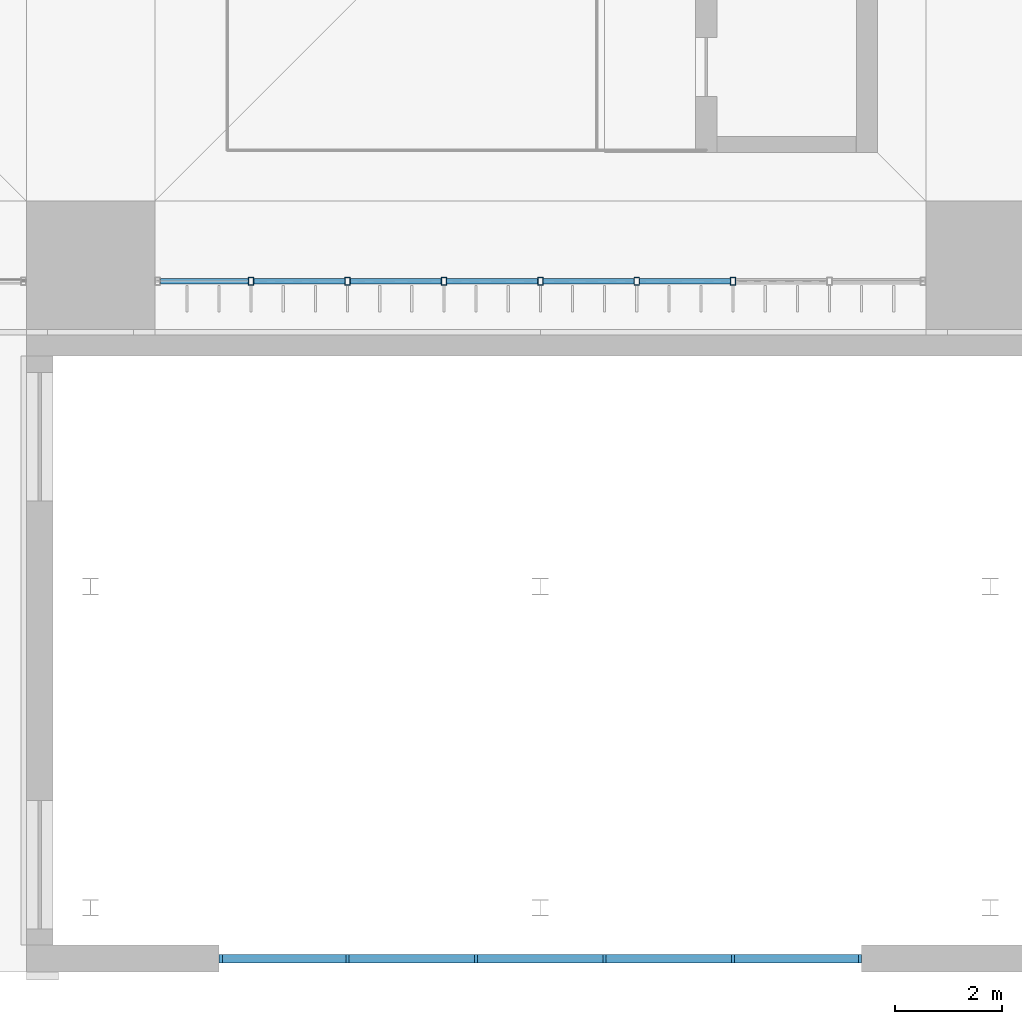
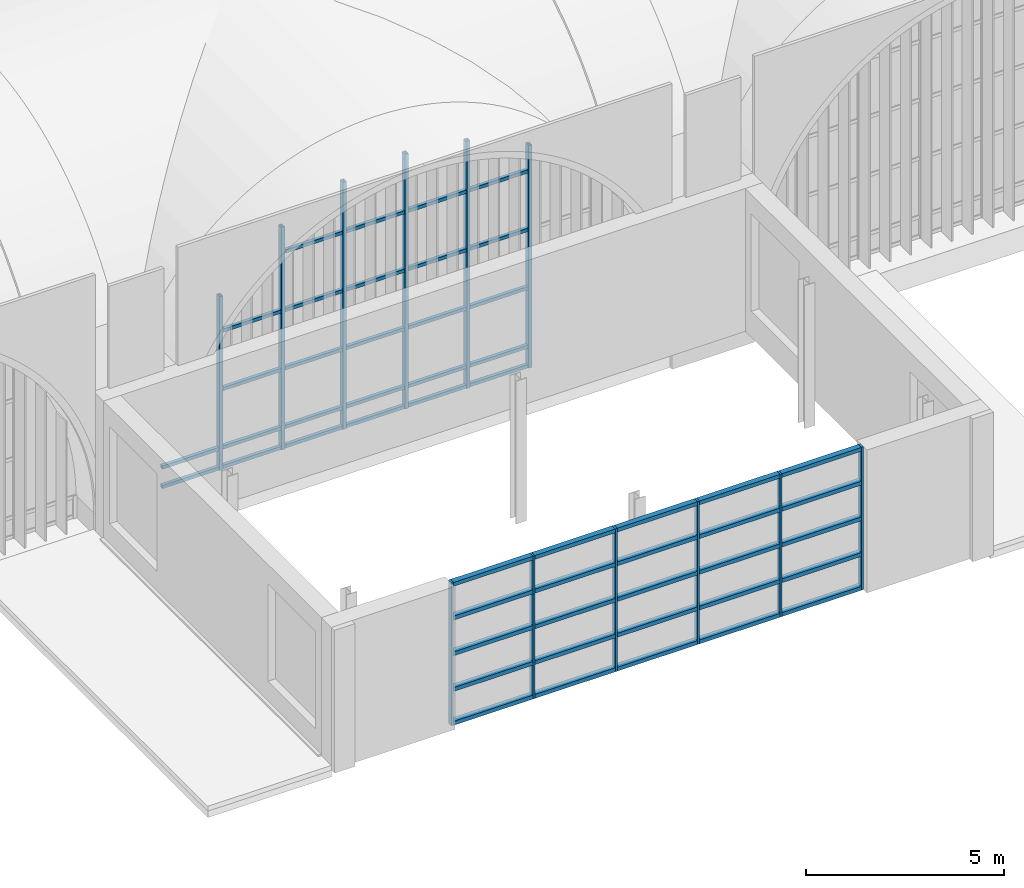
# One storey, part 31 of 169: 63 members, 2 elements without a shape of their own.
"""IFC4 building model written with IfcOpenShell, lengths in metres."""

from ifc_helpers import new_model, si_unit, direction, frame, origin, origin_2d, place, context, subcontext, project, spatial, rectangle, hollow_rectangle, extrude, material, layer, layer_set, material_profile, profile_set, type_object, element, aggregate, save


model = new_model("IFC4")

# Units and contexts
model_context = context("Model", 3, precision=1e-05, world=origin(), true_north=direction((0.0, 1.0)))
body_context = subcontext(model_context, "Body", "Model", "MODEL_VIEW")
ifc_project = project(units=[si_unit("LENGTHUNIT", "METRE"), si_unit("AREAUNIT", "SQUARE_METRE"), si_unit("VOLUMEUNIT", "CUBIC_METRE"), si_unit("PLANEANGLEUNIT", "RADIAN"), si_unit("MASSUNIT", "GRAM", prefix="KILO")], contexts=[model_context])

# Site, building, storey
site_placement = place(None, origin())
site = spatial("IfcSite", under=ifc_project, at=site_placement, CompositionType="ELEMENT")
building_placement = place(site_placement, origin())
building = spatial("IfcBuilding", under=site, at=building_placement, Name="Verrick Yard Athletic Hall", CompositionType="ELEMENT")
storey_placement = place(building_placement, frame((0.0, 0.0, 4.39990234375)))
storey = spatial("IfcBuildingStorey", under=building, at=storey_placement, Name="L01", CompositionType="ELEMENT", Elevation=4.39990234375)

# Curtain wall, members
ifc_material_1 = material(Name="Aluminium and glass curtain wall", Category="aluminium")
ifc_layer_1 = layer(ifc_material_1, 0.14990234375)
ifc_layer_set_1 = layer_set([ifc_layer_1], Name="Arcade glazing arch")
curtain_wall_type_1 = type_object("IfcCurtainWallType", Name="Arcade glazing arch", PredefinedType="NOTDEFINED", material=ifc_layer_set_1)
curtain_wall_1_placement = place(storey_placement, origin())
curtain_wall_1 = element("IfcCurtainWall", 1, at=curtain_wall_1_placement, inside=storey, type_object=curtain_wall_type_1, Name="Arcade glazing S4", PredefinedType="NOTDEFINED")
ifc_material_2 = material(Name="Structural steel HSS Class C 350W (CSA G40.20/G40.21)", Category="steel")
ifc_material_profile_1 = material_profile(ifc_material_2, hollow_rectangle(XDim=0.1015625, YDim=0.15234375, WallThickness=0.008056640625, at=origin_2d()), Name="HSS152x102x7.9")
ifc_profile_set_1 = profile_set([ifc_material_profile_1], Name="Structural steel HSS Class C 350W (CSA G40.20/G40.21)")
member_type_1 = type_object("IfcMemberType", Name="Curtain wall mullion HSS152x102x7.9", PredefinedType="MULLION", material=ifc_profile_set_1)
member_1_placement = place(storey_placement, frame((93.39990234375, 18.89990234375, 0.0), z_axis=(0.0, 0.0, 1.0), x_axis=(1.0, 0.0, 0.0)))
member_1 = element("IfcMember", 2, at=member_1_placement, type_object=member_type_1, Name="Arcade glazing S4 mullion 2", PredefinedType="MULLION", context=body_context, shape_type="SweptSolid", body=[
    extrude(hollow_rectangle(XDim=0.1015625, YDim=0.15234375, WallThickness=0.008056640625, at=origin_2d()), origin(), (0.0, 0.0, 1.0), 5.351806640625),
])
member_2_placement = place(storey_placement, frame((95.199951171875, 18.89990234375, 0.0), z_axis=(0.0, 0.0, 1.0), x_axis=(1.0, 0.0, 0.0)))
member_2 = element("IfcMember", 3, at=member_2_placement, type_object=member_type_1, Name="Arcade glazing S4 mullion 3", PredefinedType="MULLION", context=body_context, shape_type="SweptSolid", body=[
    extrude(hollow_rectangle(XDim=0.1015625, YDim=0.15234375, WallThickness=0.008056640625, at=origin_2d()), origin(), (0.0, 0.0, 1.0), 6.8544921875),
])
member_3_placement = place(storey_placement, frame((97.0, 18.89990234375, 0.0), z_axis=(0.0, 0.0, 1.0), x_axis=(1.0, 0.0, 0.0)))
member_3 = element("IfcMember", 4, at=member_3_placement, type_object=member_type_1, Name="Arcade glazing S4 mullion 4", PredefinedType="MULLION", context=body_context, shape_type="SweptSolid", body=[
    extrude(hollow_rectangle(XDim=0.1015625, YDim=0.15234375, WallThickness=0.008056640625, at=origin_2d()), origin(), (0.0, 0.0, 1.0), 7.607666015625),
])
member_4_placement = place(storey_placement, frame((98.800048828125, 18.89990234375, 0.0), z_axis=(0.0, 0.0, 1.0), x_axis=(1.0, 0.0, 0.0)))
member_4 = element("IfcMember", 5, at=member_4_placement, type_object=member_type_1, Name="Arcade glazing S4 mullion 5", PredefinedType="MULLION", context=body_context, shape_type="SweptSolid", body=[
    extrude(hollow_rectangle(XDim=0.1015625, YDim=0.15234375, WallThickness=0.008056640625, at=origin_2d()), origin(), (0.0, 0.0, 1.0), 7.8486328125),
])
member_5_placement = place(storey_placement, frame((100.60009765625, 18.89990234375, 0.0), z_axis=(0.0, 0.0, 1.0), x_axis=(1.0, 0.0, 0.0)))
member_5 = element("IfcMember", 6, at=member_5_placement, type_object=member_type_1, Name="Arcade glazing S4 mullion 6", PredefinedType="MULLION", context=body_context, shape_type="SweptSolid", body=[
    extrude(hollow_rectangle(XDim=0.1015625, YDim=0.15234375, WallThickness=0.008056640625, at=origin_2d()), origin(), (0.0, 0.0, 1.0), 7.607666015625),
])
member_6_placement = place(storey_placement, frame((102.39990234375, 18.89990234375, 0.0), z_axis=(0.0, 0.0, 1.0), x_axis=(1.0, 0.0, 0.0)))
member_6 = element("IfcMember", 7, at=member_6_placement, type_object=member_type_1, Name="Arcade glazing S4 mullion 7", PredefinedType="MULLION", context=body_context, shape_type="SweptSolid", body=[
    extrude(hollow_rectangle(XDim=0.1015625, YDim=0.15234375, WallThickness=0.008056640625, at=origin_2d()), origin(), (0.0, 0.0, 1.0), 6.8544921875),
])
ifc_material_profile_2 = material_profile(ifc_material_2, hollow_rectangle(XDim=0.1015625, YDim=0.1015625, WallThickness=0.00634765625, at=origin_2d()), Name="HSS102x102x6.4")
ifc_profile_set_2 = profile_set([ifc_material_profile_2], Name="Structural steel HSS Class C 350W (CSA G40.20/G40.21)")
member_type_2 = type_object("IfcMemberType", Name="Curtain wall transom HSS102x102x6.4", PredefinedType="USERDEFINED", material=ifc_profile_set_2)
member_7_placement = place(storey_placement, frame((91.7021484375, 18.89990234375, 0.05078125), z_axis=(1.0, 0.0, 0.0), x_axis=(0.0, 1.0, 0.0)))
member_7 = element("IfcMember", 8, at=member_7_placement, type_object=member_type_2, Name="Arcade glazing S4 transom 1", ObjectType="TRANSOM", PredefinedType="USERDEFINED", context=body_context, shape_type="SweptSolid", body=[
    extrude(hollow_rectangle(XDim=0.1015625, YDim=0.1015625, WallThickness=0.00634765625, at=origin_2d()), origin(), (0.0, 0.0, 1.0), 1.64697265625),
])
member_8_placement = place(storey_placement, frame((91.7021484375, 18.89990234375, 0.650146484375), z_axis=(1.0, 0.0, 0.0), x_axis=(0.0, 1.0, 0.0)))
member_8 = element("IfcMember", 9, at=member_8_placement, type_object=member_type_2, Name="Arcade glazing S4 transom 2", ObjectType="TRANSOM", PredefinedType="USERDEFINED", context=body_context, shape_type="SweptSolid", body=[
    extrude(hollow_rectangle(XDim=0.1015625, YDim=0.1015625, WallThickness=0.00634765625, at=origin_2d()), origin(), (0.0, 0.0, 1.0), 1.64697265625),
])
member_9_placement = place(storey_placement, frame((93.45068359375, 18.89990234375, 0.05078125), z_axis=(1.0, 0.0, 0.0), x_axis=(0.0, 1.0, 0.0)))
member_9 = element("IfcMember", 10, at=member_9_placement, type_object=member_type_2, Name="Arcade glazing S4 transom 3", ObjectType="TRANSOM", PredefinedType="USERDEFINED", context=body_context, shape_type="SweptSolid", body=[
    extrude(hollow_rectangle(XDim=0.1015625, YDim=0.1015625, WallThickness=0.00634765625, at=origin_2d()), origin(), (0.0, 0.0, 1.0), 1.698486328125),
])
member_10_placement = place(storey_placement, frame((93.45068359375, 18.89990234375, 0.650146484375), z_axis=(1.0, 0.0, 0.0), x_axis=(0.0, 1.0, 0.0)))
member_10 = element("IfcMember", 11, at=member_10_placement, type_object=member_type_2, Name="Arcade glazing S4 transom 4", ObjectType="TRANSOM", PredefinedType="USERDEFINED", context=body_context, shape_type="SweptSolid", body=[
    extrude(hollow_rectangle(XDim=0.1015625, YDim=0.1015625, WallThickness=0.00634765625, at=origin_2d()), origin(), (0.0, 0.0, 1.0), 1.698486328125),
])
member_11_placement = place(storey_placement, frame((93.45068359375, 18.89990234375, 2.4501953125), z_axis=(1.0, 0.0, 0.0), x_axis=(0.0, 1.0, 0.0)))
member_11 = element("IfcMember", 12, at=member_11_placement, type_object=member_type_2, Name="Arcade glazing S4 transom 5", ObjectType="TRANSOM", PredefinedType="USERDEFINED", context=body_context, shape_type="SweptSolid", body=[
    extrude(hollow_rectangle(XDim=0.1015625, YDim=0.1015625, WallThickness=0.00634765625, at=origin_2d()), origin(), (0.0, 0.0, 1.0), 1.698486328125),
])
member_12_placement = place(storey_placement, frame((93.45068359375, 18.89990234375, 4.25), z_axis=(1.0, 0.0, 0.0), x_axis=(0.0, 1.0, 0.0)))
member_12 = element("IfcMember", 13, at=member_12_placement, type_object=member_type_2, Name="Arcade glazing S4 transom 6", ObjectType="TRANSOM", PredefinedType="USERDEFINED", context=body_context, shape_type="SweptSolid", body=[
    extrude(hollow_rectangle(XDim=0.1015625, YDim=0.1015625, WallThickness=0.00634765625, at=origin_2d()), origin(), (0.0, 0.0, 1.0), 1.698486328125),
])
member_13_placement = place(storey_placement, frame((95.250732421875, 18.89990234375, 0.05078125), z_axis=(1.0, 0.0, 0.0), x_axis=(0.0, 1.0, 0.0)))
member_13 = element("IfcMember", 14, at=member_13_placement, type_object=member_type_2, Name="Arcade glazing S4 transom 7", ObjectType="TRANSOM", PredefinedType="USERDEFINED", context=body_context, shape_type="SweptSolid", body=[
    extrude(hollow_rectangle(XDim=0.1015625, YDim=0.1015625, WallThickness=0.00634765625, at=origin_2d()), origin(), (0.0, 0.0, 1.0), 1.698486328125),
])
member_14_placement = place(storey_placement, frame((95.250732421875, 18.89990234375, 0.650146484375), z_axis=(1.0, 0.0, 0.0), x_axis=(0.0, 1.0, 0.0)))
member_14 = element("IfcMember", 15, at=member_14_placement, type_object=member_type_2, Name="Arcade glazing S4 transom 8", ObjectType="TRANSOM", PredefinedType="USERDEFINED", context=body_context, shape_type="SweptSolid", body=[
    extrude(hollow_rectangle(XDim=0.1015625, YDim=0.1015625, WallThickness=0.00634765625, at=origin_2d()), origin(), (0.0, 0.0, 1.0), 1.698486328125),
])
member_15_placement = place(storey_placement, frame((95.250732421875, 18.89990234375, 2.4501953125), z_axis=(1.0, 0.0, 0.0), x_axis=(0.0, 1.0, 0.0)))
member_15 = element("IfcMember", 16, at=member_15_placement, type_object=member_type_2, Name="Arcade glazing S4 transom 9", ObjectType="TRANSOM", PredefinedType="USERDEFINED", context=body_context, shape_type="SweptSolid", body=[
    extrude(hollow_rectangle(XDim=0.1015625, YDim=0.1015625, WallThickness=0.00634765625, at=origin_2d()), origin(), (0.0, 0.0, 1.0), 1.698486328125),
])
member_16_placement = place(storey_placement, frame((95.250732421875, 18.89990234375, 4.25), z_axis=(1.0, 0.0, 0.0), x_axis=(0.0, 1.0, 0.0)))
member_16 = element("IfcMember", 17, at=member_16_placement, type_object=member_type_2, Name="Arcade glazing S4 transom 10", ObjectType="TRANSOM", PredefinedType="USERDEFINED", context=body_context, shape_type="SweptSolid", body=[
    extrude(hollow_rectangle(XDim=0.1015625, YDim=0.1015625, WallThickness=0.00634765625, at=origin_2d()), origin(), (0.0, 0.0, 1.0), 1.698486328125),
])
member_17_placement = place(storey_placement, frame((95.250732421875, 18.89990234375, 6.050048828125), z_axis=(1.0, 0.0, 0.0), x_axis=(0.0, 1.0, 0.0)))
member_17 = element("IfcMember", 18, at=member_17_placement, type_object=member_type_2, Name="Arcade glazing S4 transom 11", ObjectType="TRANSOM", PredefinedType="USERDEFINED", context=body_context, shape_type="SweptSolid", body=[
    extrude(hollow_rectangle(XDim=0.1015625, YDim=0.1015625, WallThickness=0.00634765625, at=origin_2d()), origin(), (0.0, 0.0, 1.0), 1.698486328125),
])
member_18_placement = place(storey_placement, frame((97.05078125, 18.89990234375, 0.05078125), z_axis=(1.0, 0.0, 0.0), x_axis=(0.0, 1.0, 0.0)))
member_18 = element("IfcMember", 19, at=member_18_placement, type_object=member_type_2, Name="Arcade glazing S4 transom 12", ObjectType="TRANSOM", PredefinedType="USERDEFINED", context=body_context, shape_type="SweptSolid", body=[
    extrude(hollow_rectangle(XDim=0.1015625, YDim=0.1015625, WallThickness=0.00634765625, at=origin_2d()), origin(), (0.0, 0.0, 1.0), 1.698486328125),
])
member_19_placement = place(storey_placement, frame((97.05078125, 18.89990234375, 0.650146484375), z_axis=(1.0, 0.0, 0.0), x_axis=(0.0, 1.0, 0.0)))
member_19 = element("IfcMember", 20, at=member_19_placement, type_object=member_type_2, Name="Arcade glazing S4 transom 13", ObjectType="TRANSOM", PredefinedType="USERDEFINED", context=body_context, shape_type="SweptSolid", body=[
    extrude(hollow_rectangle(XDim=0.1015625, YDim=0.1015625, WallThickness=0.00634765625, at=origin_2d()), origin(), (0.0, 0.0, 1.0), 1.698486328125),
])
member_20_placement = place(storey_placement, frame((97.05078125, 18.89990234375, 2.4501953125), z_axis=(1.0, 0.0, 0.0), x_axis=(0.0, 1.0, 0.0)))
member_20 = element("IfcMember", 21, at=member_20_placement, type_object=member_type_2, Name="Arcade glazing S4 transom 14", ObjectType="TRANSOM", PredefinedType="USERDEFINED", context=body_context, shape_type="SweptSolid", body=[
    extrude(hollow_rectangle(XDim=0.1015625, YDim=0.1015625, WallThickness=0.00634765625, at=origin_2d()), origin(), (0.0, 0.0, 1.0), 1.698486328125),
])
member_21_placement = place(storey_placement, frame((97.05078125, 18.89990234375, 4.25), z_axis=(1.0, 0.0, 0.0), x_axis=(0.0, 1.0, 0.0)))
member_21 = element("IfcMember", 22, at=member_21_placement, type_object=member_type_2, Name="Arcade glazing S4 transom 15", ObjectType="TRANSOM", PredefinedType="USERDEFINED", context=body_context, shape_type="SweptSolid", body=[
    extrude(hollow_rectangle(XDim=0.1015625, YDim=0.1015625, WallThickness=0.00634765625, at=origin_2d()), origin(), (0.0, 0.0, 1.0), 1.698486328125),
])
member_22_placement = place(storey_placement, frame((97.05078125, 18.89990234375, 6.050048828125), z_axis=(1.0, 0.0, 0.0), x_axis=(0.0, 1.0, 0.0)))
member_22 = element("IfcMember", 23, at=member_22_placement, type_object=member_type_2, Name="Arcade glazing S4 transom 16", ObjectType="TRANSOM", PredefinedType="USERDEFINED", context=body_context, shape_type="SweptSolid", body=[
    extrude(hollow_rectangle(XDim=0.1015625, YDim=0.1015625, WallThickness=0.00634765625, at=origin_2d()), origin(), (0.0, 0.0, 1.0), 1.698486328125),
])
member_23_placement = place(storey_placement, frame((98.850830078125, 18.89990234375, 0.05078125), z_axis=(1.0, 0.0, 0.0), x_axis=(0.0, 1.0, 0.0)))
member_23 = element("IfcMember", 24, at=member_23_placement, type_object=member_type_2, Name="Arcade glazing S4 transom 17", ObjectType="TRANSOM", PredefinedType="USERDEFINED", context=body_context, shape_type="SweptSolid", body=[
    extrude(hollow_rectangle(XDim=0.1015625, YDim=0.1015625, WallThickness=0.00634765625, at=origin_2d()), origin(), (0.0, 0.0, 1.0), 1.698486328125),
])
member_24_placement = place(storey_placement, frame((98.850830078125, 18.89990234375, 0.650146484375), z_axis=(1.0, 0.0, 0.0), x_axis=(0.0, 1.0, 0.0)))
member_24 = element("IfcMember", 25, at=member_24_placement, type_object=member_type_2, Name="Arcade glazing S4 transom 18", ObjectType="TRANSOM", PredefinedType="USERDEFINED", context=body_context, shape_type="SweptSolid", body=[
    extrude(hollow_rectangle(XDim=0.1015625, YDim=0.1015625, WallThickness=0.00634765625, at=origin_2d()), origin(), (0.0, 0.0, 1.0), 1.698486328125),
])
member_25_placement = place(storey_placement, frame((98.850830078125, 18.89990234375, 2.4501953125), z_axis=(1.0, 0.0, 0.0), x_axis=(0.0, 1.0, 0.0)))
member_25 = element("IfcMember", 26, at=member_25_placement, type_object=member_type_2, Name="Arcade glazing S4 transom 19", ObjectType="TRANSOM", PredefinedType="USERDEFINED", context=body_context, shape_type="SweptSolid", body=[
    extrude(hollow_rectangle(XDim=0.1015625, YDim=0.1015625, WallThickness=0.00634765625, at=origin_2d()), origin(), (0.0, 0.0, 1.0), 1.698486328125),
])
member_26_placement = place(storey_placement, frame((98.850830078125, 18.89990234375, 4.25), z_axis=(1.0, 0.0, 0.0), x_axis=(0.0, 1.0, 0.0)))
member_26 = element("IfcMember", 27, at=member_26_placement, type_object=member_type_2, Name="Arcade glazing S4 transom 20", ObjectType="TRANSOM", PredefinedType="USERDEFINED", context=body_context, shape_type="SweptSolid", body=[
    extrude(hollow_rectangle(XDim=0.1015625, YDim=0.1015625, WallThickness=0.00634765625, at=origin_2d()), origin(), (0.0, 0.0, 1.0), 1.698486328125),
])
member_27_placement = place(storey_placement, frame((98.850830078125, 18.89990234375, 6.050048828125), z_axis=(1.0, 0.0, 0.0), x_axis=(0.0, 1.0, 0.0)))
member_27 = element("IfcMember", 28, at=member_27_placement, type_object=member_type_2, Name="Arcade glazing S4 transom 21", ObjectType="TRANSOM", PredefinedType="USERDEFINED", context=body_context, shape_type="SweptSolid", body=[
    extrude(hollow_rectangle(XDim=0.1015625, YDim=0.1015625, WallThickness=0.00634765625, at=origin_2d()), origin(), (0.0, 0.0, 1.0), 1.698486328125),
])
member_28_placement = place(storey_placement, frame((100.65087890625, 18.89990234375, 0.05078125), z_axis=(1.0, 0.0, 0.0), x_axis=(0.0, 1.0, 0.0)))
member_28 = element("IfcMember", 29, at=member_28_placement, type_object=member_type_2, Name="Arcade glazing S4 transom 22", ObjectType="TRANSOM", PredefinedType="USERDEFINED", context=body_context, shape_type="SweptSolid", body=[
    extrude(hollow_rectangle(XDim=0.1015625, YDim=0.1015625, WallThickness=0.00634765625, at=origin_2d()), origin(), (0.0, 0.0, 1.0), 1.6982421875),
])
member_29_placement = place(storey_placement, frame((100.65087890625, 18.89990234375, 0.650146484375), z_axis=(1.0, 0.0, 0.0), x_axis=(0.0, 1.0, 0.0)))
member_29 = element("IfcMember", 30, at=member_29_placement, type_object=member_type_2, Name="Arcade glazing S4 transom 23", ObjectType="TRANSOM", PredefinedType="USERDEFINED", context=body_context, shape_type="SweptSolid", body=[
    extrude(hollow_rectangle(XDim=0.1015625, YDim=0.1015625, WallThickness=0.00634765625, at=origin_2d()), origin(), (0.0, 0.0, 1.0), 1.6982421875),
])
member_30_placement = place(storey_placement, frame((100.65087890625, 18.89990234375, 2.4501953125), z_axis=(1.0, 0.0, 0.0), x_axis=(0.0, 1.0, 0.0)))
member_30 = element("IfcMember", 31, at=member_30_placement, type_object=member_type_2, Name="Arcade glazing S4 transom 24", ObjectType="TRANSOM", PredefinedType="USERDEFINED", context=body_context, shape_type="SweptSolid", body=[
    extrude(hollow_rectangle(XDim=0.1015625, YDim=0.1015625, WallThickness=0.00634765625, at=origin_2d()), origin(), (0.0, 0.0, 1.0), 1.6982421875),
])
member_31_placement = place(storey_placement, frame((100.65087890625, 18.89990234375, 4.25), z_axis=(1.0, 0.0, 0.0), x_axis=(0.0, 1.0, 0.0)))
member_31 = element("IfcMember", 32, at=member_31_placement, type_object=member_type_2, Name="Arcade glazing S4 transom 25", ObjectType="TRANSOM", PredefinedType="USERDEFINED", context=body_context, shape_type="SweptSolid", body=[
    extrude(hollow_rectangle(XDim=0.1015625, YDim=0.1015625, WallThickness=0.00634765625, at=origin_2d()), origin(), (0.0, 0.0, 1.0), 1.6982421875),
])
member_32_placement = place(storey_placement, frame((100.65087890625, 18.89990234375, 6.050048828125), z_axis=(1.0, 0.0, 0.0), x_axis=(0.0, 1.0, 0.0)))
member_32 = element("IfcMember", 33, at=member_32_placement, type_object=member_type_2, Name="Arcade glazing S4 transom 26", ObjectType="TRANSOM", PredefinedType="USERDEFINED", context=body_context, shape_type="SweptSolid", body=[
    extrude(hollow_rectangle(XDim=0.1015625, YDim=0.1015625, WallThickness=0.00634765625, at=origin_2d()), origin(), (0.0, 0.0, 1.0), 1.6982421875),
])
aggregate(curtain_wall_1, [member_1, member_2, member_3, member_4, member_5, member_6, member_7, member_8, member_9, member_10, member_11, member_12, member_13, member_14, member_15, member_16, member_17, member_18, member_19, member_20, member_21, member_22, member_23, member_24, member_25, member_26, member_27, member_28, member_29, member_30, member_31, member_32])

ifc_material_3 = material(Name="Anodised aluminium", Category="aluminium")
ifc_layer_2 = layer(ifc_material_3, 0.199951171875)
ifc_layer_set_2 = layer_set([ifc_layer_2], Name="Front glazing")
curtain_wall_type_2 = type_object("IfcCurtainWallType", Name="Front glazing", PredefinedType="NOTDEFINED", material=ifc_layer_set_2)
curtain_wall_2_placement = place(storey_placement, origin())
curtain_wall_2 = element("IfcCurtainWall", 34, at=curtain_wall_2_placement, inside=storey, type_object=curtain_wall_type_2, Name="ENVB-FY-S-CW", PredefinedType="NOTDEFINED")
ifc_material_profile_3 = material_profile(ifc_material_3, rectangle(XDim=0.159912109375, YDim=0.06005859375, at=origin_2d()), Name="CW mullion 60x160")
ifc_profile_set_3 = profile_set([ifc_material_profile_3], Name="Anodised aluminium")
member_type_3 = type_object("IfcMemberType", Name="Front glazing mullion 60x160", PredefinedType="MULLION", material=ifc_profile_set_3)
member_33_placement = place(storey_placement, frame((92.830078125, 6.25, 0.0), z_axis=(0.0, 0.0, 1.0), x_axis=(0.0, 1.0, 0.0)))
member_33 = element("IfcMember", 35, at=member_33_placement, type_object=member_type_3, Name="ENVB-FY-S-CW/M00", PredefinedType="MULLION", context=body_context, shape_type="SweptSolid", body=[
    extrude(rectangle(XDim=0.159912109375, YDim=0.06005859375, at=origin_2d()), origin(), (0.0, 0.0, 1.0), 4.400146484375),
])
member_34_placement = place(storey_placement, frame((95.199951171875, 6.25, 0.0), z_axis=(0.0, 0.0, 1.0), x_axis=(0.0, 1.0, 0.0)))
member_34 = element("IfcMember", 36, at=member_34_placement, type_object=member_type_3, Name="ENVB-FY-S-CW/M01", PredefinedType="MULLION", context=body_context, shape_type="SweptSolid", body=[
    extrude(rectangle(XDim=0.159912109375, YDim=0.06005859375, at=origin_2d()), origin(), (0.0, 0.0, 1.0), 4.400146484375),
])
member_35_placement = place(storey_placement, frame((97.60009765625, 6.25, 0.0), z_axis=(0.0, 0.0, 1.0), x_axis=(0.0, 1.0, 0.0)))
member_35 = element("IfcMember", 37, at=member_35_placement, type_object=member_type_3, Name="ENVB-FY-S-CW/M02", PredefinedType="MULLION", context=body_context, shape_type="SweptSolid", body=[
    extrude(rectangle(XDim=0.159912109375, YDim=0.06005859375, at=origin_2d()), origin(), (0.0, 0.0, 1.0), 4.400146484375),
])
member_36_placement = place(storey_placement, frame((100.0, 6.25, 0.0), z_axis=(0.0, 0.0, 1.0), x_axis=(0.0, 1.0, 0.0)))
member_36 = element("IfcMember", 38, at=member_36_placement, type_object=member_type_3, Name="ENVB-FY-S-CW/M03", PredefinedType="MULLION", context=body_context, shape_type="SweptSolid", body=[
    extrude(rectangle(XDim=0.159912109375, YDim=0.06005859375, at=origin_2d()), origin(), (0.0, 0.0, 1.0), 4.400146484375),
])
member_37_placement = place(storey_placement, frame((102.39990234375, 6.25, 0.0), z_axis=(0.0, 0.0, 1.0), x_axis=(0.0, 1.0, 0.0)))
member_37 = element("IfcMember", 39, at=member_37_placement, type_object=member_type_3, Name="ENVB-FY-S-CW/M04", PredefinedType="MULLION", context=body_context, shape_type="SweptSolid", body=[
    extrude(rectangle(XDim=0.159912109375, YDim=0.06005859375, at=origin_2d()), origin(), (0.0, 0.0, 1.0), 4.400146484375),
])
member_38_placement = place(storey_placement, frame((104.77001953125, 6.25, 0.0), z_axis=(0.0, 0.0, 1.0), x_axis=(0.0, 1.0, 0.0)))
member_38 = element("IfcMember", 40, at=member_38_placement, type_object=member_type_3, Name="ENVB-FY-S-CW/M05", PredefinedType="MULLION", context=body_context, shape_type="SweptSolid", body=[
    extrude(rectangle(XDim=0.159912109375, YDim=0.06005859375, at=origin_2d()), origin(), (0.0, 0.0, 1.0), 4.400146484375),
])
ifc_material_profile_4 = material_profile(ifc_material_3, rectangle(XDim=0.159912109375, YDim=0.1201171875, at=origin_2d()), Name="CW transom 160x120")
ifc_profile_set_4 = profile_set([ifc_material_profile_4], Name="Anodised aluminium")
member_type_4 = type_object("IfcMemberType", Name="Front glazing transom 160x120", PredefinedType="USERDEFINED", material=ifc_profile_set_4)
member_39_placement = place(storey_placement, frame((92.860107421875, 6.25, 0.06005859375), z_axis=(1.0, 0.0, 0.0), x_axis=(0.0, 1.0, 0.0)))
member_39 = element("IfcMember", 41, at=member_39_placement, type_object=member_type_4, Name="ENVB-FY-S-CW/T00-00", ObjectType="TRANSOM", PredefinedType="USERDEFINED", context=body_context, shape_type="SweptSolid", body=[
    extrude(rectangle(XDim=0.159912109375, YDim=0.1201171875, at=origin_2d()), origin(), (0.0, 0.0, 1.0), 2.309814453125),
])
member_40_placement = place(storey_placement, frame((92.860107421875, 6.25, 1.10009765625), z_axis=(1.0, 0.0, 0.0), x_axis=(0.0, 1.0, 0.0)))
member_40 = element("IfcMember", 42, at=member_40_placement, type_object=member_type_4, Name="ENVB-FY-S-CW/T00-01", ObjectType="TRANSOM", PredefinedType="USERDEFINED", context=body_context, shape_type="SweptSolid", body=[
    extrude(rectangle(XDim=0.159912109375, YDim=0.1201171875, at=origin_2d()), origin(), (0.0, 0.0, 1.0), 2.309814453125),
])
member_41_placement = place(storey_placement, frame((92.860107421875, 6.25, 2.2001953125), z_axis=(1.0, 0.0, 0.0), x_axis=(0.0, 1.0, 0.0)))
member_41 = element("IfcMember", 43, at=member_41_placement, type_object=member_type_4, Name="ENVB-FY-S-CW/T00-02", ObjectType="TRANSOM", PredefinedType="USERDEFINED", context=body_context, shape_type="SweptSolid", body=[
    extrude(rectangle(XDim=0.159912109375, YDim=0.1201171875, at=origin_2d()), origin(), (0.0, 0.0, 1.0), 2.309814453125),
])
member_42_placement = place(storey_placement, frame((92.860107421875, 6.25, 3.300048828125), z_axis=(1.0, 0.0, 0.0), x_axis=(0.0, 1.0, 0.0)))
member_42 = element("IfcMember", 44, at=member_42_placement, type_object=member_type_4, Name="ENVB-FY-S-CW/T00-03", ObjectType="TRANSOM", PredefinedType="USERDEFINED", context=body_context, shape_type="SweptSolid", body=[
    extrude(rectangle(XDim=0.159912109375, YDim=0.1201171875, at=origin_2d()), origin(), (0.0, 0.0, 1.0), 2.309814453125),
])
member_43_placement = place(storey_placement, frame((92.860107421875, 6.25, 4.340087890625), z_axis=(1.0, 0.0, 0.0), x_axis=(0.0, 1.0, 0.0)))
member_43 = element("IfcMember", 45, at=member_43_placement, type_object=member_type_4, Name="ENVB-FY-S-CW/T00-04", ObjectType="TRANSOM", PredefinedType="USERDEFINED", context=body_context, shape_type="SweptSolid", body=[
    extrude(rectangle(XDim=0.159912109375, YDim=0.1201171875, at=origin_2d()), origin(), (0.0, 0.0, 1.0), 2.309814453125),
])
member_44_placement = place(storey_placement, frame((95.22998046875, 6.25, 0.06005859375), z_axis=(1.0, 0.0, 0.0), x_axis=(0.0, 1.0, 0.0)))
member_44 = element("IfcMember", 46, at=member_44_placement, type_object=member_type_4, Name="ENVB-FY-S-CW/T01-00", ObjectType="TRANSOM", PredefinedType="USERDEFINED", context=body_context, shape_type="SweptSolid", body=[
    extrude(rectangle(XDim=0.159912109375, YDim=0.1201171875, at=origin_2d()), origin(), (0.0, 0.0, 1.0), 2.340087890625),
])
member_45_placement = place(storey_placement, frame((95.22998046875, 6.25, 1.10009765625), z_axis=(1.0, 0.0, 0.0), x_axis=(0.0, 1.0, 0.0)))
member_45 = element("IfcMember", 47, at=member_45_placement, type_object=member_type_4, Name="ENVB-FY-S-CW/T01-01", ObjectType="TRANSOM", PredefinedType="USERDEFINED", context=body_context, shape_type="SweptSolid", body=[
    extrude(rectangle(XDim=0.159912109375, YDim=0.1201171875, at=origin_2d()), origin(), (0.0, 0.0, 1.0), 2.340087890625),
])
member_46_placement = place(storey_placement, frame((95.22998046875, 6.25, 2.2001953125), z_axis=(1.0, 0.0, 0.0), x_axis=(0.0, 1.0, 0.0)))
member_46 = element("IfcMember", 48, at=member_46_placement, type_object=member_type_4, Name="ENVB-FY-S-CW/T01-02", ObjectType="TRANSOM", PredefinedType="USERDEFINED", context=body_context, shape_type="SweptSolid", body=[
    extrude(rectangle(XDim=0.159912109375, YDim=0.1201171875, at=origin_2d()), origin(), (0.0, 0.0, 1.0), 2.340087890625),
])
member_47_placement = place(storey_placement, frame((95.22998046875, 6.25, 3.300048828125), z_axis=(1.0, 0.0, 0.0), x_axis=(0.0, 1.0, 0.0)))
member_47 = element("IfcMember", 49, at=member_47_placement, type_object=member_type_4, Name="ENVB-FY-S-CW/T01-03", ObjectType="TRANSOM", PredefinedType="USERDEFINED", context=body_context, shape_type="SweptSolid", body=[
    extrude(rectangle(XDim=0.159912109375, YDim=0.1201171875, at=origin_2d()), origin(), (0.0, 0.0, 1.0), 2.340087890625),
])
member_48_placement = place(storey_placement, frame((95.22998046875, 6.25, 4.340087890625), z_axis=(1.0, 0.0, 0.0), x_axis=(0.0, 1.0, 0.0)))
member_48 = element("IfcMember", 50, at=member_48_placement, type_object=member_type_4, Name="ENVB-FY-S-CW/T01-04", ObjectType="TRANSOM", PredefinedType="USERDEFINED", context=body_context, shape_type="SweptSolid", body=[
    extrude(rectangle(XDim=0.159912109375, YDim=0.1201171875, at=origin_2d()), origin(), (0.0, 0.0, 1.0), 2.340087890625),
])
member_49_placement = place(storey_placement, frame((97.6298828125, 6.25, 0.06005859375), z_axis=(1.0, 0.0, 0.0), x_axis=(0.0, 1.0, 0.0)))
member_49 = element("IfcMember", 51, at=member_49_placement, type_object=member_type_4, Name="ENVB-FY-S-CW/T02-00", ObjectType="TRANSOM", PredefinedType="USERDEFINED", context=body_context, shape_type="SweptSolid", body=[
    extrude(rectangle(XDim=0.159912109375, YDim=0.1201171875, at=origin_2d()), origin(), (0.0, 0.0, 1.0), 2.340087890625),
])
member_50_placement = place(storey_placement, frame((97.6298828125, 6.25, 1.10009765625), z_axis=(1.0, 0.0, 0.0), x_axis=(0.0, 1.0, 0.0)))
member_50 = element("IfcMember", 52, at=member_50_placement, type_object=member_type_4, Name="ENVB-FY-S-CW/T02-01", ObjectType="TRANSOM", PredefinedType="USERDEFINED", context=body_context, shape_type="SweptSolid", body=[
    extrude(rectangle(XDim=0.159912109375, YDim=0.1201171875, at=origin_2d()), origin(), (0.0, 0.0, 1.0), 2.340087890625),
])
member_51_placement = place(storey_placement, frame((97.6298828125, 6.25, 2.2001953125), z_axis=(1.0, 0.0, 0.0), x_axis=(0.0, 1.0, 0.0)))
member_51 = element("IfcMember", 53, at=member_51_placement, type_object=member_type_4, Name="ENVB-FY-S-CW/T02-02", ObjectType="TRANSOM", PredefinedType="USERDEFINED", context=body_context, shape_type="SweptSolid", body=[
    extrude(rectangle(XDim=0.159912109375, YDim=0.1201171875, at=origin_2d()), origin(), (0.0, 0.0, 1.0), 2.340087890625),
])
member_52_placement = place(storey_placement, frame((97.6298828125, 6.25, 3.300048828125), z_axis=(1.0, 0.0, 0.0), x_axis=(0.0, 1.0, 0.0)))
member_52 = element("IfcMember", 54, at=member_52_placement, type_object=member_type_4, Name="ENVB-FY-S-CW/T02-03", ObjectType="TRANSOM", PredefinedType="USERDEFINED", context=body_context, shape_type="SweptSolid", body=[
    extrude(rectangle(XDim=0.159912109375, YDim=0.1201171875, at=origin_2d()), origin(), (0.0, 0.0, 1.0), 2.340087890625),
])
member_53_placement = place(storey_placement, frame((97.6298828125, 6.25, 4.340087890625), z_axis=(1.0, 0.0, 0.0), x_axis=(0.0, 1.0, 0.0)))
member_53 = element("IfcMember", 55, at=member_53_placement, type_object=member_type_4, Name="ENVB-FY-S-CW/T02-04", ObjectType="TRANSOM", PredefinedType="USERDEFINED", context=body_context, shape_type="SweptSolid", body=[
    extrude(rectangle(XDim=0.159912109375, YDim=0.1201171875, at=origin_2d()), origin(), (0.0, 0.0, 1.0), 2.340087890625),
])
member_54_placement = place(storey_placement, frame((100.030029296875, 6.25, 0.06005859375), z_axis=(1.0, 0.0, 0.0), x_axis=(0.0, 1.0, 0.0)))
member_54 = element("IfcMember", 56, at=member_54_placement, type_object=member_type_4, Name="ENVB-FY-S-CW/T03-00", ObjectType="TRANSOM", PredefinedType="USERDEFINED", context=body_context, shape_type="SweptSolid", body=[
    extrude(rectangle(XDim=0.159912109375, YDim=0.1201171875, at=origin_2d()), origin(), (0.0, 0.0, 1.0), 2.340087890625),
])
member_55_placement = place(storey_placement, frame((100.030029296875, 6.25, 1.10009765625), z_axis=(1.0, 0.0, 0.0), x_axis=(0.0, 1.0, 0.0)))
member_55 = element("IfcMember", 57, at=member_55_placement, type_object=member_type_4, Name="ENVB-FY-S-CW/T03-01", ObjectType="TRANSOM", PredefinedType="USERDEFINED", context=body_context, shape_type="SweptSolid", body=[
    extrude(rectangle(XDim=0.159912109375, YDim=0.1201171875, at=origin_2d()), origin(), (0.0, 0.0, 1.0), 2.340087890625),
])
member_56_placement = place(storey_placement, frame((100.030029296875, 6.25, 2.2001953125), z_axis=(1.0, 0.0, 0.0), x_axis=(0.0, 1.0, 0.0)))
member_56 = element("IfcMember", 58, at=member_56_placement, type_object=member_type_4, Name="ENVB-FY-S-CW/T03-02", ObjectType="TRANSOM", PredefinedType="USERDEFINED", context=body_context, shape_type="SweptSolid", body=[
    extrude(rectangle(XDim=0.159912109375, YDim=0.1201171875, at=origin_2d()), origin(), (0.0, 0.0, 1.0), 2.340087890625),
])
member_57_placement = place(storey_placement, frame((100.030029296875, 6.25, 3.300048828125), z_axis=(1.0, 0.0, 0.0), x_axis=(0.0, 1.0, 0.0)))
member_57 = element("IfcMember", 59, at=member_57_placement, type_object=member_type_4, Name="ENVB-FY-S-CW/T03-03", ObjectType="TRANSOM", PredefinedType="USERDEFINED", context=body_context, shape_type="SweptSolid", body=[
    extrude(rectangle(XDim=0.159912109375, YDim=0.1201171875, at=origin_2d()), origin(), (0.0, 0.0, 1.0), 2.340087890625),
])
member_58_placement = place(storey_placement, frame((100.030029296875, 6.25, 4.340087890625), z_axis=(1.0, 0.0, 0.0), x_axis=(0.0, 1.0, 0.0)))
member_58 = element("IfcMember", 60, at=member_58_placement, type_object=member_type_4, Name="ENVB-FY-S-CW/T03-04", ObjectType="TRANSOM", PredefinedType="USERDEFINED", context=body_context, shape_type="SweptSolid", body=[
    extrude(rectangle(XDim=0.159912109375, YDim=0.1201171875, at=origin_2d()), origin(), (0.0, 0.0, 1.0), 2.340087890625),
])
member_59_placement = place(storey_placement, frame((102.429931640625, 6.25, 0.06005859375), z_axis=(1.0, 0.0, 0.0), x_axis=(0.0, 1.0, 0.0)))
member_59 = element("IfcMember", 61, at=member_59_placement, type_object=member_type_4, Name="ENVB-FY-S-CW/T04-00", ObjectType="TRANSOM", PredefinedType="USERDEFINED", context=body_context, shape_type="SweptSolid", body=[
    extrude(rectangle(XDim=0.159912109375, YDim=0.1201171875, at=origin_2d()), origin(), (0.0, 0.0, 1.0), 2.31005859375),
])
member_60_placement = place(storey_placement, frame((102.429931640625, 6.25, 1.10009765625), z_axis=(1.0, 0.0, 0.0), x_axis=(0.0, 1.0, 0.0)))
member_60 = element("IfcMember", 62, at=member_60_placement, type_object=member_type_4, Name="ENVB-FY-S-CW/T04-01", ObjectType="TRANSOM", PredefinedType="USERDEFINED", context=body_context, shape_type="SweptSolid", body=[
    extrude(rectangle(XDim=0.159912109375, YDim=0.1201171875, at=origin_2d()), origin(), (0.0, 0.0, 1.0), 2.31005859375),
])
member_61_placement = place(storey_placement, frame((102.429931640625, 6.25, 2.2001953125), z_axis=(1.0, 0.0, 0.0), x_axis=(0.0, 1.0, 0.0)))
member_61 = element("IfcMember", 63, at=member_61_placement, type_object=member_type_4, Name="ENVB-FY-S-CW/T04-02", ObjectType="TRANSOM", PredefinedType="USERDEFINED", context=body_context, shape_type="SweptSolid", body=[
    extrude(rectangle(XDim=0.159912109375, YDim=0.1201171875, at=origin_2d()), origin(), (0.0, 0.0, 1.0), 2.31005859375),
])
member_62_placement = place(storey_placement, frame((102.429931640625, 6.25, 3.300048828125), z_axis=(1.0, 0.0, 0.0), x_axis=(0.0, 1.0, 0.0)))
member_62 = element("IfcMember", 64, at=member_62_placement, type_object=member_type_4, Name="ENVB-FY-S-CW/T04-03", ObjectType="TRANSOM", PredefinedType="USERDEFINED", context=body_context, shape_type="SweptSolid", body=[
    extrude(rectangle(XDim=0.159912109375, YDim=0.1201171875, at=origin_2d()), origin(), (0.0, 0.0, 1.0), 2.31005859375),
])
member_63_placement = place(storey_placement, frame((102.429931640625, 6.25, 4.340087890625), z_axis=(1.0, 0.0, 0.0), x_axis=(0.0, 1.0, 0.0)))
member_63 = element("IfcMember", 65, at=member_63_placement, type_object=member_type_4, Name="ENVB-FY-S-CW/T04-04", ObjectType="TRANSOM", PredefinedType="USERDEFINED", context=body_context, shape_type="SweptSolid", body=[
    extrude(rectangle(XDim=0.159912109375, YDim=0.1201171875, at=origin_2d()), origin(), (0.0, 0.0, 1.0), 2.31005859375),
])
aggregate(curtain_wall_2, [member_33, member_34, member_35, member_36, member_37, member_38, member_39, member_40, member_41, member_42, member_43, member_44, member_45, member_46, member_47, member_48, member_49, member_50, member_51, member_52, member_53, member_54, member_55, member_56, member_57, member_58, member_59, member_60, member_61, member_62, member_63])

save(model, "model.ifc")
